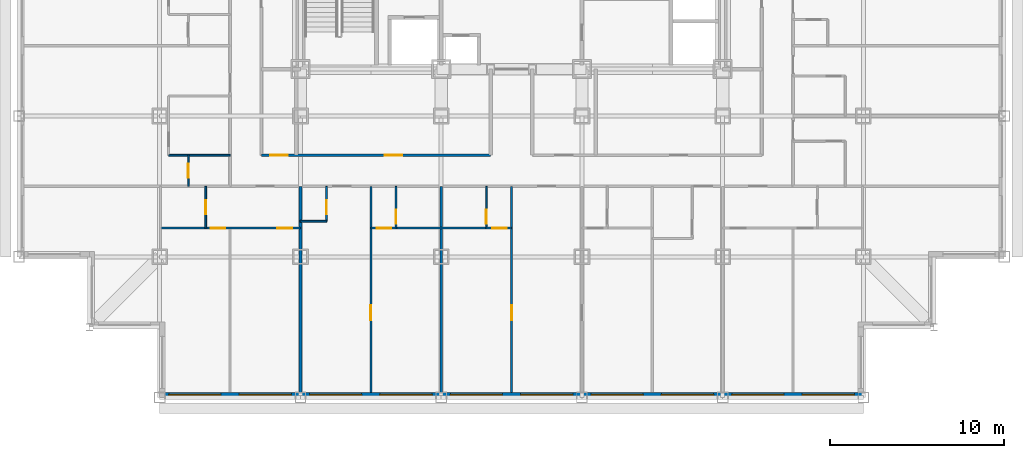
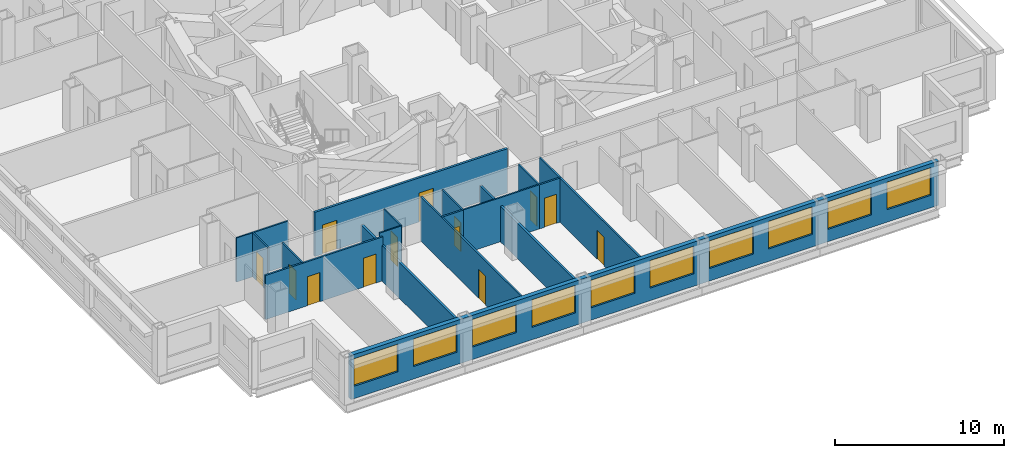
# One storey, part 4 of 12: 17 walls, 13 doors, 10 windows, 23 openings.
"""IFC4 building model written with IfcOpenShell, lengths in metres."""

from ifc_helpers import new_model, si_unit, direction, frame, frame_2d, origin, place, context, subcontext, project, spatial, rectangle, extrude, material, layer, layer_set, type_object, element, fill, save


model = new_model("IFC4")

# Units and contexts
model_context = context("Model", 3, precision=1e-05, world=origin(), true_north=direction((0.0, 1.0)))
body_context = subcontext(model_context, "Body", "Model", "MODEL_VIEW")
ifc_project = project(units=[si_unit("LENGTHUNIT", "METRE"), si_unit("AREAUNIT", "SQUARE_METRE"), si_unit("VOLUMEUNIT", "CUBIC_METRE"), si_unit("PLANEANGLEUNIT", "RADIAN"), si_unit("MASSUNIT", "GRAM", prefix="KILO")], contexts=[model_context])

# Site, building, storey
site_placement = place(None, origin())
site = spatial("IfcSite", under=ifc_project, at=site_placement, CompositionType="ELEMENT")
building_placement = place(site_placement, origin())
building = spatial("IfcBuilding", under=site, at=building_placement, Name="Kopane Lantern Tower", CompositionType="ELEMENT")
storey_placement = place(building_placement, frame((0.0, 0.0, 120.39990234375)))
storey = spatial("IfcBuildingStorey", under=building, at=storey_placement, Name="L30", CompositionType="ELEMENT", Elevation=120.39990234375)

# Wall, opening, door
ifc_material_1 = material(Name="Gypsum board on steel studs", Category="steel")
ifc_layer_1 = layer(ifc_material_1, 0.1201171875)
ifc_layer_set_1 = layer_set([ifc_layer_1], Name="APARTMENT INTERNAL WALL 120")
wall_type_1 = type_object("IfcWallType", Name="APARTMENT INTERNAL WALL 120", PredefinedType="PARTITIONING", material=ifc_layer_set_1)
wall_1_placement = place(storey_placement, frame((20.25, 17.550048828125, 0.0), z_axis=(0.0, 0.0, 1.0), x_axis=(0.0, -1.0, 0.0)))
wall_1 = element("IfcWall", 1, at=wall_1_placement, inside=storey, type_object=wall_type_1, Name="Apartment Internal Wall 120 L30", PredefinedType="PARTITIONING", context=body_context, shape_type="SweptSolid", body=[
    extrude(rectangle(XDim=11.85009765625, YDim=0.1201171875, at=frame_2d((5.925048828125, 0.0))), origin(), (0.0, 0.0, 1.0), 3.190185546875),
])
opening_1_placement = place(wall_1_placement, frame((6.85009765625, 0.0, 0.0)))
opening_1 = element("IfcOpeningElement", 2, at=opening_1_placement, cuts=wall_1, Name="Opening L30-016", PredefinedType="OPENING", context=body_context, shape_type="SweptSolid", body=[
    extrude(rectangle(XDim=0.85009765625, YDim=2.10009765625, at=frame_2d((0.425048828125, 1.050048828125))), frame((0.0, 0.070068359375, 0.0), z_axis=(0.0, -1.0, 0.0), x_axis=(1.0, 0.0, 0.0)), (0.0, 0.0, 1.0), 0.14013671875),
])
ifc_material_2 = material(Name="Timber door set", Category="wood")
door_type_1 = type_object("IfcDoorType", Name="DOOR D4 850x2100", OperationType="SINGLE_SWING_LEFT", PredefinedType="DOOR", material=ifc_material_2)
door_1_placement = place(opening_1_placement, origin())
door_1 = element("IfcDoor", 3, at=door_1_placement, inside=storey, type_object=door_type_1, Name="Door L30-016", OperationType="SINGLE_SWING_LEFT", OverallHeight=2.10009765625, OverallWidth=0.85009765625, PredefinedType="DOOR", context=body_context, shape_type="SweptSolid", body=[
    extrude(rectangle(XDim=0.85009765625, YDim=2.10009765625, at=frame_2d((0.425048828125, 1.050048828125))), frame((0.0, 0.02490234375, 0.0), z_axis=(0.0, -1.0, 0.0), x_axis=(1.0, 0.0, 0.0)), (0.0, 0.0, 1.0), 0.050048828125),
])
fill(opening_1, door_1)

wall_2_placement = place(storey_placement, frame((28.35009765625, 17.550048828125, 0.0), z_axis=(0.0, 0.0, 1.0), x_axis=(0.0, -1.0, 0.0)))
wall_2 = element("IfcWall", 4, at=wall_2_placement, inside=storey, type_object=wall_type_1, Name="Apartment Internal Wall 120 L30", PredefinedType="PARTITIONING", context=body_context, shape_type="SweptSolid", body=[
    extrude(rectangle(XDim=11.85009765625, YDim=0.1201171875, at=frame_2d((5.925048828125, 0.0))), origin(), (0.0, 0.0, 1.0), 3.190185546875),
])
opening_2_placement = place(wall_2_placement, frame((6.85009765625, 0.0, 0.0)))
opening_2 = element("IfcOpeningElement", 5, at=opening_2_placement, cuts=wall_2, Name="Opening L30-019", PredefinedType="OPENING", context=body_context, shape_type="SweptSolid", body=[
    extrude(rectangle(XDim=0.85009765625, YDim=2.10009765625, at=frame_2d((0.425048828125, 1.050048828125))), frame((0.0, 0.070068359375, 0.0), z_axis=(0.0, -1.0, 0.0), x_axis=(1.0, 0.0, 0.0)), (0.0, 0.0, 1.0), 0.14013671875),
])
door_2_placement = place(opening_2_placement, origin())
door_2 = element("IfcDoor", 6, at=door_2_placement, inside=storey, type_object=door_type_1, Name="Door L30-019", OperationType="SINGLE_SWING_RIGHT", OverallHeight=2.10009765625, OverallWidth=0.85009765625, PredefinedType="DOOR", context=body_context, shape_type="SweptSolid", body=[
    extrude(rectangle(XDim=0.85009765625, YDim=2.10009765625, at=frame_2d((0.425048828125, 1.050048828125))), frame((0.0, 0.02490234375, 0.0), z_axis=(0.0, -1.0, 0.0), x_axis=(1.0, 0.0, 0.0)), (0.0, 0.0, 1.0), 0.050048828125),
])
fill(opening_2, door_2)

# Wall, openings, doors
wall_3_placement = place(storey_placement, frame((8.14990234375, 15.14990234375, 0.0), z_axis=(0.0, 0.0, 1.0), x_axis=(1.0, 0.0, 0.0)))
wall_3 = element("IfcWall", 7, at=wall_3_placement, inside=storey, type_object=wall_type_1, Name="Apartment Internal Wall 120 L30", PredefinedType="PARTITIONING", context=body_context, shape_type="SweptSolid", body=[
    extrude(rectangle(XDim=8.050048828125, YDim=0.1201171875, at=frame_2d((4.02490234375, 0.0))), origin(), (0.0, 0.0, 1.0), 3.190185546875),
])
opening_3_placement = place(wall_3_placement, frame((6.72509765625, 0.0, 0.0)))
opening_3 = element("IfcOpeningElement", 8, at=opening_3_placement, cuts=wall_3, Name="Opening L30-060", PredefinedType="OPENING", context=body_context, shape_type="SweptSolid", body=[
    extrude(rectangle(XDim=0.85009765625, YDim=2.10009765625, at=frame_2d((0.425048828125, 1.050048828125))), frame((0.0, 0.070068359375, 0.0), z_axis=(0.0, -1.0, 0.0), x_axis=(1.0, 0.0, 0.0)), (0.0, 0.0, 1.0), 0.14013671875),
])
opening_4_placement = place(wall_3_placement, frame((2.875, 0.0, 0.0)))
opening_4 = element("IfcOpeningElement", 9, at=opening_4_placement, cuts=wall_3, Name="Opening L30-062", PredefinedType="OPENING", context=body_context, shape_type="SweptSolid", body=[
    extrude(rectangle(XDim=0.85009765625, YDim=2.10009765625, at=frame_2d((0.425048828125, 1.050048828125))), frame((0.0, 0.070068359375, 0.0), z_axis=(0.0, -1.0, 0.0), x_axis=(1.0, 0.0, 0.0)), (0.0, 0.0, 1.0), 0.14013671875),
])
door_3_placement = place(opening_3_placement, origin())
door_3 = element("IfcDoor", 10, at=door_3_placement, inside=storey, type_object=door_type_1, Name="Door L30-060", OperationType="SINGLE_SWING_RIGHT", OverallHeight=2.10009765625, OverallWidth=0.85009765625, PredefinedType="DOOR", context=body_context, shape_type="SweptSolid", body=[
    extrude(rectangle(XDim=0.85009765625, YDim=2.10009765625, at=frame_2d((0.425048828125, 1.050048828125))), frame((0.0, 0.02490234375, 0.0), z_axis=(0.0, -1.0, 0.0), x_axis=(1.0, 0.0, 0.0)), (0.0, 0.0, 1.0), 0.050048828125),
])
fill(opening_3, door_3)
door_4_placement = place(opening_4_placement, origin())
door_4 = element("IfcDoor", 11, at=door_4_placement, inside=storey, type_object=door_type_1, Name="Door L30-062", OperationType="SINGLE_SWING_LEFT", OverallHeight=2.10009765625, OverallWidth=0.85009765625, PredefinedType="DOOR", context=body_context, shape_type="SweptSolid", body=[
    extrude(rectangle(XDim=0.85009765625, YDim=2.10009765625, at=frame_2d((0.425048828125, 1.050048828125))), frame((0.0, 0.02490234375, 0.0), z_axis=(0.0, -1.0, 0.0), x_axis=(1.0, 0.0, 0.0)), (0.0, 0.0, 1.0), 0.050048828125),
])
fill(opening_4, door_4)

# Wall, opening, door
wall_4_placement = place(storey_placement, frame((21.7099609375, 15.14990234375, 0.0), z_axis=(0.0, 0.0, 1.0), x_axis=(-1.0, 0.0, 0.0)))
wall_4 = element("IfcWall", 12, at=wall_4_placement, inside=storey, type_object=wall_type_1, Name="Apartment Internal Wall 120 L30", PredefinedType="PARTITIONING", context=body_context, shape_type="SweptSolid", body=[
    extrude(rectangle(XDim=1.4599609375, YDim=0.1201171875, at=frame_2d((0.72998046875, 0.0))), origin(), (0.0, 0.0, 1.0), 3.190185546875),
])
opening_5_placement = place(wall_4_placement, frame((0.27490234375, 0.0, 0.0)))
opening_5 = element("IfcOpeningElement", 13, at=opening_5_placement, cuts=wall_4, Name="Opening L30-075", PredefinedType="OPENING", context=body_context, shape_type="SweptSolid", body=[
    extrude(rectangle(XDim=0.85009765625, YDim=2.10009765625, at=frame_2d((0.425048828125, 1.050048828125))), frame((0.0, 0.070068359375, 0.0), z_axis=(0.0, -1.0, 0.0), x_axis=(1.0, 0.0, 0.0)), (0.0, 0.0, 1.0), 0.14013671875),
])
door_5_placement = place(opening_5_placement, origin())
door_5 = element("IfcDoor", 14, at=door_5_placement, inside=storey, type_object=door_type_1, Name="Door L30-075", OperationType="SINGLE_SWING_RIGHT", OverallHeight=2.10009765625, OverallWidth=0.85009765625, PredefinedType="DOOR", context=body_context, shape_type="SweptSolid", body=[
    extrude(rectangle(XDim=0.85009765625, YDim=2.10009765625, at=frame_2d((0.425048828125, 1.050048828125))), frame((0.0, 0.02490234375, 0.0), z_axis=(0.0, -1.0, 0.0), x_axis=(1.0, 0.0, 0.0)), (0.0, 0.0, 1.0), 0.050048828125),
])
fill(opening_5, door_5)

wall_5_placement = place(storey_placement, frame((28.35009765625, 15.14990234375, 0.0), z_axis=(0.0, 0.0, 1.0), x_axis=(-1.0, 0.0, 0.0)))
wall_5 = element("IfcWall", 15, at=wall_5_placement, inside=storey, type_object=wall_type_1, Name="Apartment Internal Wall 120 L30", PredefinedType="PARTITIONING", context=body_context, shape_type="SweptSolid", body=[
    extrude(rectangle(XDim=1.460205078125, YDim=0.1201171875, at=frame_2d((0.72998046875, 0.0))), origin(), (0.0, 0.0, 1.0), 3.190185546875),
])
opening_6_placement = place(wall_5_placement, frame((0.27490234375, 0.0, 0.0)))
opening_6 = element("IfcOpeningElement", 16, at=opening_6_placement, cuts=wall_5, Name="Opening L30-076", PredefinedType="OPENING", context=body_context, shape_type="SweptSolid", body=[
    extrude(rectangle(XDim=0.85009765625, YDim=2.10009765625, at=frame_2d((0.425048828125, 1.050048828125))), frame((0.0, 0.070068359375, 0.0), z_axis=(0.0, -1.0, 0.0), x_axis=(1.0, 0.0, 0.0)), (0.0, 0.0, 1.0), 0.14013671875),
])
door_6_placement = place(opening_6_placement, origin())
door_6 = element("IfcDoor", 17, at=door_6_placement, inside=storey, type_object=door_type_1, Name="Door L30-076", OperationType="SINGLE_SWING_LEFT", OverallHeight=2.10009765625, OverallWidth=0.85009765625, PredefinedType="DOOR", context=body_context, shape_type="SweptSolid", body=[
    extrude(rectangle(XDim=0.85009765625, YDim=2.10009765625, at=frame_2d((0.425048828125, 1.050048828125))), frame((0.0, 0.02490234375, 0.0), z_axis=(0.0, -1.0, 0.0), x_axis=(1.0, 0.0, 0.0)), (0.0, 0.0, 1.0), 0.050048828125),
])
fill(opening_6, door_6)

# Wall
ifc_material_3 = material(Name="Moisture-resistant board on steel studs", Category="steel")
ifc_layer_2 = layer(ifc_material_3, 0.10009765625)
ifc_layer_set_2 = layer_set([ifc_layer_2], Name="BATHROOM WALL 100")
wall_type_2 = type_object("IfcWallType", Name="BATHROOM WALL 100", PredefinedType="PARTITIONING", material=ifc_layer_set_2)
wall_6_placement = place(storey_placement, frame((16.199951171875, 15.550048828125, 0.0), z_axis=(0.0, 0.0, 1.0), x_axis=(1.0, 0.0, 0.0)))
element("IfcWall", 18, at=wall_6_placement, inside=storey, type_object=wall_type_2, Name="Bathroom Wall 100 L30", PredefinedType="PARTITIONING", context=body_context, shape_type="SweptSolid", body=[
    extrude(rectangle(XDim=1.5, YDim=0.10009765625, at=frame_2d((0.75, 0.0))), origin(), (0.0, 0.0, 1.0), 3.190185546875),
])

# Wall, opening, door
wall_7_placement = place(storey_placement, frame((17.699951171875, 17.550048828125, 0.0), z_axis=(0.0, 0.0, 1.0), x_axis=(0.0, -1.0, 0.0)))
wall_7 = element("IfcWall", 19, at=wall_7_placement, inside=storey, type_object=wall_type_2, Name="Bathroom Wall 100 L30", PredefinedType="PARTITIONING", context=body_context, shape_type="SweptSolid", body=[
    extrude(rectangle(XDim=2.0, YDim=0.10009765625, at=frame_2d((1.0, 0.0))), origin(), (0.0, 0.0, 1.0), 3.190185546875),
])
opening_7_placement = place(wall_7_placement, frame((0.800048828125, 0.0, 0.0)))
opening_7 = element("IfcOpeningElement", 20, at=opening_7_placement, cuts=wall_7, Name="Opening L30-013", PredefinedType="OPENING", context=body_context, shape_type="SweptSolid", body=[
    extrude(rectangle(XDim=0.800048828125, YDim=2.10009765625, at=frame_2d((0.39990234375, 1.050048828125))), frame((0.0, 0.06005859375, 0.0), z_axis=(0.0, -1.0, 0.0), x_axis=(1.0, 0.0, 0.0)), (0.0, 0.0, 1.0), 0.1201171875),
])
ifc_material_4 = material(Name="Timber door set", Category="wood")
door_type_2 = type_object("IfcDoorType", Name="DOOR D2 800x2100", OperationType="SINGLE_SWING_LEFT", PredefinedType="DOOR", material=ifc_material_4)
door_7_placement = place(opening_7_placement, origin())
door_7 = element("IfcDoor", 21, at=door_7_placement, inside=storey, type_object=door_type_2, Name="Door L30-013", OperationType="SINGLE_SWING_LEFT", OverallHeight=2.10009765625, OverallWidth=0.800048828125, PredefinedType="DOOR", context=body_context, shape_type="SweptSolid", body=[
    extrude(rectangle(XDim=0.800048828125, YDim=2.10009765625, at=frame_2d((0.39990234375, 1.050048828125))), frame((0.0, 0.02490234375, 0.0), z_axis=(0.0, -1.0, 0.0), x_axis=(1.0, 0.0, 0.0)), (0.0, 0.0, 1.0), 0.050048828125),
])
fill(opening_7, door_7)

# Wall
wall_8_placement = place(storey_placement, frame((21.699951171875, 15.14990234375, 0.0), z_axis=(0.0, 0.0, 1.0), x_axis=(1.0, 0.0, 0.0)))
element("IfcWall", 22, at=wall_8_placement, inside=storey, type_object=wall_type_2, Name="Bathroom Wall 100 L30", PredefinedType="PARTITIONING", context=body_context, shape_type="SweptSolid", body=[
    extrude(rectangle(XDim=5.199951171875, YDim=0.10009765625, at=frame_2d((2.60009765625, 0.0))), origin(), (0.0, 0.0, 1.0), 3.190185546875),
])

# Wall, opening, door
wall_9_placement = place(storey_placement, frame((21.699951171875, 17.550048828125, 0.0), z_axis=(0.0, 0.0, 1.0), x_axis=(0.0, -1.0, 0.0)))
wall_9 = element("IfcWall", 23, at=wall_9_placement, inside=storey, type_object=wall_type_2, Name="Bathroom Wall 100 L30", PredefinedType="PARTITIONING", context=body_context, shape_type="SweptSolid", body=[
    extrude(rectangle(XDim=2.400146484375, YDim=0.10009765625, at=frame_2d((1.2001953125, 0.0))), origin(), (0.0, 0.0, 1.0), 3.190185546875),
])
opening_8_placement = place(wall_9_placement, frame((1.35009765625, 0.0, 0.0)))
opening_8 = element("IfcOpeningElement", 24, at=opening_8_placement, cuts=wall_9, Name="Opening L30-015", PredefinedType="OPENING", context=body_context, shape_type="SweptSolid", body=[
    extrude(rectangle(XDim=0.800048828125, YDim=2.10009765625, at=frame_2d((0.39990234375, 1.050048828125))), frame((0.0, 0.06005859375, 0.0), z_axis=(0.0, -1.0, 0.0), x_axis=(1.0, 0.0, 0.0)), (0.0, 0.0, 1.0), 0.1201171875),
])
door_8_placement = place(opening_8_placement, origin())
door_8 = element("IfcDoor", 25, at=door_8_placement, inside=storey, type_object=door_type_2, Name="Door L30-015", OperationType="SINGLE_SWING_LEFT", OverallHeight=2.10009765625, OverallWidth=0.800048828125, PredefinedType="DOOR", context=body_context, shape_type="SweptSolid", body=[
    extrude(rectangle(XDim=0.800048828125, YDim=2.10009765625, at=frame_2d((0.39990234375, 1.050048828125))), frame((0.0, 0.02490234375, 0.0), z_axis=(0.0, -1.0, 0.0), x_axis=(1.0, 0.0, 0.0)), (0.0, 0.0, 1.0), 0.050048828125),
])
fill(opening_8, door_8)

wall_10_placement = place(storey_placement, frame((26.89990234375, 17.550048828125, 0.0), z_axis=(0.0, 0.0, 1.0), x_axis=(0.0, -1.0, 0.0)))
wall_10 = element("IfcWall", 26, at=wall_10_placement, inside=storey, type_object=wall_type_2, Name="Bathroom Wall 100 L30", PredefinedType="PARTITIONING", context=body_context, shape_type="SweptSolid", body=[
    extrude(rectangle(XDim=2.400146484375, YDim=0.10009765625, at=frame_2d((1.2001953125, 0.0))), origin(), (0.0, 0.0, 1.0), 3.190185546875),
])
opening_9_placement = place(wall_10_placement, frame((1.35009765625, 0.0, 0.0)))
opening_9 = element("IfcOpeningElement", 27, at=opening_9_placement, cuts=wall_10, Name="Opening L30-018", PredefinedType="OPENING", context=body_context, shape_type="SweptSolid", body=[
    extrude(rectangle(XDim=0.800048828125, YDim=2.10009765625, at=frame_2d((0.39990234375, 1.050048828125))), frame((0.0, 0.06005859375, 0.0), z_axis=(0.0, -1.0, 0.0), x_axis=(1.0, 0.0, 0.0)), (0.0, 0.0, 1.0), 0.1201171875),
])
door_9_placement = place(opening_9_placement, origin())
door_9 = element("IfcDoor", 28, at=door_9_placement, inside=storey, type_object=door_type_2, Name="Door L30-018", OperationType="SINGLE_SWING_RIGHT", OverallHeight=2.10009765625, OverallWidth=0.800048828125, PredefinedType="DOOR", context=body_context, shape_type="SweptSolid", body=[
    extrude(rectangle(XDim=0.800048828125, YDim=2.10009765625, at=frame_2d((0.39990234375, 1.050048828125))), frame((0.0, 0.02490234375, 0.0), z_axis=(0.0, -1.0, 0.0), x_axis=(1.0, 0.0, 0.0)), (0.0, 0.0, 1.0), 0.050048828125),
])
fill(opening_9, door_9)

wall_11_placement = place(storey_placement, frame((9.75, 17.550048828125, 0.0), z_axis=(0.0, 0.0, 1.0), x_axis=(0.0, 1.0, 0.0)))
wall_11 = element("IfcWall", 29, at=wall_11_placement, inside=storey, type_object=wall_type_2, Name="Bathroom Wall 100 L30", PredefinedType="PARTITIONING", context=body_context, shape_type="SweptSolid", body=[
    extrude(rectangle(XDim=1.800048828125, YDim=0.10009765625, at=frame_2d((0.89990234375, 0.0))), origin(), (0.0, 0.0, 1.0), 3.190185546875),
])
opening_10_placement = place(wall_11_placement, frame((0.5, 0.0, 0.0)))
opening_10 = element("IfcOpeningElement", 30, at=opening_10_placement, cuts=wall_11, Name="Opening L30-036", PredefinedType="OPENING", context=body_context, shape_type="SweptSolid", body=[
    extrude(rectangle(XDim=0.800048828125, YDim=2.10009765625, at=frame_2d((0.39990234375, 1.050048828125))), frame((0.0, 0.06005859375, 0.0), z_axis=(0.0, -1.0, 0.0), x_axis=(1.0, 0.0, 0.0)), (0.0, 0.0, 1.0), 0.1201171875),
])
door_10_placement = place(opening_10_placement, origin())
door_10 = element("IfcDoor", 31, at=door_10_placement, inside=storey, type_object=door_type_2, Name="Door L30-036", OperationType="SINGLE_SWING_RIGHT", OverallHeight=2.10009765625, OverallWidth=0.800048828125, PredefinedType="DOOR", context=body_context, shape_type="SweptSolid", body=[
    extrude(rectangle(XDim=0.800048828125, YDim=2.10009765625, at=frame_2d((0.39990234375, 1.050048828125))), frame((0.0, 0.02490234375, 0.0), z_axis=(0.0, -1.0, 0.0), x_axis=(1.0, 0.0, 0.0)), (0.0, 0.0, 1.0), 0.050048828125),
])
fill(opening_10, door_10)

# Wall
wall_12_placement = place(storey_placement, frame((12.14990234375, 19.35009765625, 0.0), z_axis=(0.0, 0.0, 1.0), x_axis=(-1.0, 0.0, 0.0)))
element("IfcWall", 32, at=wall_12_placement, inside=storey, type_object=wall_type_2, Name="Bathroom Wall 100 L30", PredefinedType="PARTITIONING", context=body_context, shape_type="SweptSolid", body=[
    extrude(rectangle(XDim=3.539794921875, YDim=0.10009765625, at=frame_2d((1.77001953125, 0.0))), origin(), (0.0, 0.0, 1.0), 3.190185546875),
])

# Wall, opening, door
wall_13_placement = place(storey_placement, frame((10.75, 17.550048828125, 0.0), z_axis=(0.0, 0.0, 1.0), x_axis=(0.0, -1.0, 0.0)))
wall_13 = element("IfcWall", 33, at=wall_13_placement, inside=storey, type_object=wall_type_2, Name="Bathroom Wall 100 L30", PredefinedType="PARTITIONING", context=body_context, shape_type="SweptSolid", body=[
    extrude(rectangle(XDim=2.400146484375, YDim=0.10009765625, at=frame_2d((1.2001953125, 0.0))), origin(), (0.0, 0.0, 1.0), 3.190185546875),
])
opening_11_placement = place(wall_13_placement, frame((0.800048828125, 0.0, 0.0)))
opening_11 = element("IfcOpeningElement", 34, at=opening_11_placement, cuts=wall_13, Name="Opening L30-061", PredefinedType="OPENING", context=body_context, shape_type="SweptSolid", body=[
    extrude(rectangle(XDim=0.800048828125, YDim=2.10009765625, at=frame_2d((0.39990234375, 1.050048828125))), frame((0.0, 0.06005859375, 0.0), z_axis=(0.0, -1.0, 0.0), x_axis=(1.0, 0.0, 0.0)), (0.0, 0.0, 1.0), 0.1201171875),
])
door_11_placement = place(opening_11_placement, origin())
door_11 = element("IfcDoor", 35, at=door_11_placement, inside=storey, type_object=door_type_2, Name="Door L30-061", OperationType="SINGLE_SWING_RIGHT", OverallHeight=2.10009765625, OverallWidth=0.800048828125, PredefinedType="DOOR", context=body_context, shape_type="SweptSolid", body=[
    extrude(rectangle(XDim=0.800048828125, YDim=2.10009765625, at=frame_2d((0.39990234375, 1.050048828125))), frame((0.0, 0.02490234375, 0.0), z_axis=(0.0, -1.0, 0.0), x_axis=(1.0, 0.0, 0.0)), (0.0, 0.0, 1.0), 0.050048828125),
])
fill(opening_11, door_11)

# Wall, openings, doors
ifc_material_5 = material(Name="Gypsum board on steel studs", Category="steel")
ifc_layer_3 = layer(ifc_material_5, 0.14990234375)
ifc_layer_set_3 = layer_set([ifc_layer_3], Name="CORRIDOR WALL 150 EI 60")
wall_type_3 = type_object("IfcWallType", Name="CORRIDOR WALL 150 EI 60", PredefinedType="PARTITIONING", material=ifc_layer_set_3)
wall_14_placement = place(storey_placement, frame((13.949951171875, 19.35009765625, 0.0), z_axis=(0.0, 0.0, 1.0), x_axis=(1.0, 0.0, 0.0)))
wall_14 = element("IfcWall", 36, at=wall_14_placement, inside=storey, type_object=wall_type_3, Name="Corridor Wall 150 Ei 60 L30", PredefinedType="PARTITIONING", context=body_context, shape_type="SweptSolid", body=[
    extrude(rectangle(XDim=13.18994140625, YDim=0.14990234375, at=frame_2d((6.594970703125, 0.0))), origin(), (0.0, 0.0, 1.0), 3.190185546875),
])
opening_12_placement = place(wall_14_placement, frame((0.510009765625, 0.0, 0.0)))
opening_12 = element("IfcOpeningElement", 37, at=opening_12_placement, cuts=wall_14, Name="Opening L30-005", PredefinedType="OPENING", context=body_context, shape_type="SweptSolid", body=[
    extrude(rectangle(XDim=1.0, YDim=2.10009765625, at=frame_2d((0.5, 1.050048828125))), frame((0.0, 0.0849609375, 0.0), z_axis=(0.0, -1.0, 0.0), x_axis=(1.0, 0.0, 0.0)), (0.0, 0.0, 1.0), 0.169921875),
])
opening_13_placement = place(wall_14_placement, frame((7.110107421875, 0.0, 0.0)))
opening_13 = element("IfcOpeningElement", 38, at=opening_13_placement, cuts=wall_14, Name="Opening L30-006", PredefinedType="OPENING", context=body_context, shape_type="SweptSolid", body=[
    extrude(rectangle(XDim=1.0, YDim=2.10009765625, at=frame_2d((0.5, 1.050048828125))), frame((0.0, 0.0849609375, 0.0), z_axis=(0.0, -1.0, 0.0), x_axis=(1.0, 0.0, 0.0)), (0.0, 0.0, 1.0), 0.169921875),
])
ifc_material_6 = material(Name="Steel door set", Category="steel")
door_type_3 = type_object("IfcDoorType", Name="DOOR D5 1000x2100 FD60", OperationType="SINGLE_SWING_LEFT", PredefinedType="DOOR", material=ifc_material_6)
door_12_placement = place(opening_12_placement, origin())
door_12 = element("IfcDoor", 39, at=door_12_placement, inside=storey, type_object=door_type_3, Name="Door L30-005", OperationType="SINGLE_SWING_LEFT", OverallHeight=2.10009765625, OverallWidth=1.0, PredefinedType="DOOR", context=body_context, shape_type="SweptSolid", body=[
    extrude(rectangle(XDim=1.0, YDim=2.10009765625, at=frame_2d((0.5, 1.050048828125))), frame((0.0, 0.02490234375, 0.0), z_axis=(0.0, -1.0, 0.0), x_axis=(1.0, 0.0, 0.0)), (0.0, 0.0, 1.0), 0.050048828125),
])
fill(opening_12, door_12)
door_13_placement = place(opening_13_placement, origin())
door_13 = element("IfcDoor", 40, at=door_13_placement, inside=storey, type_object=door_type_3, Name="Door L30-006", OperationType="SINGLE_SWING_RIGHT", OverallHeight=2.10009765625, OverallWidth=1.0, PredefinedType="DOOR", context=body_context, shape_type="SweptSolid", body=[
    extrude(rectangle(XDim=1.0, YDim=2.10009765625, at=frame_2d((0.5, 1.050048828125))), frame((0.0, 0.02490234375, 0.0), z_axis=(0.0, -1.0, 0.0), x_axis=(1.0, 0.0, 0.0)), (0.0, 0.0, 1.0), 0.050048828125),
])
fill(opening_13, door_13)

# Walls
ifc_material_7 = material(Name="Gypsum board on steel studs", Category="steel")
ifc_layer_4 = layer(ifc_material_7, 0.14990234375)
ifc_layer_set_4 = layer_set([ifc_layer_4], Name="DEMISING WALL 150 EI 60")
wall_type_4 = type_object("IfcWallType", Name="DEMISING WALL 150 EI 60", PredefinedType="PARTITIONING", material=ifc_layer_set_4)
for number, where, z_axis, x_axis, name in (
    (41, (24.300048828125, 17.550048828125, 0.0), (0.0, 0.0, 1.0), (0.0, -1.0, 0.0), "Demising Wall 150 Ei 60 L30"),
    (42, (16.199951171875, 17.550048828125, 0.0), (0.0, 0.0, 1.0), (0.0, -1.0, 0.0), "Demising Wall 150 Ei 60 L30"),
):
    element("IfcWall", number, at=place(storey_placement, frame(where, z_axis=z_axis, x_axis=x_axis)), inside=storey, type_object=wall_type_4, Name=name, PredefinedType="PARTITIONING", context=body_context, shape_type="SweptSolid", body=[
        extrude(rectangle(XDim=11.85009765625, YDim=0.14990234375, at=frame_2d((5.925048828125, 0.0))), origin(), (0.0, 0.0, 1.0), 2.577880859375),
    ])

# Wall, openings, windows
ifc_material_8 = material(Name="Terracotta rainscreen on light steel framing", Category="masonry")
ifc_layer_5 = layer(ifc_material_8, 0.300048828125)
ifc_layer_set_5 = layer_set([ifc_layer_5], Name="EXTERNAL WALL EW1 300 TERRACOTTA")
wall_type_5 = type_object("IfcWallType", Name="EXTERNAL WALL EW1 300 TERRACOTTA", PredefinedType="SOLIDWALL", material=ifc_layer_set_5)
wall_15_placement = place(storey_placement, frame((8.39990234375, 5.550048828125, 0.0), z_axis=(0.0, 0.0, 1.0), x_axis=(1.0, 0.0, 0.0)))
wall_15 = element("IfcWall", 43, at=wall_15_placement, inside=storey, type_object=wall_type_5, Name="External wall S L30", PredefinedType="SOLIDWALL", context=body_context, shape_type="SweptSolid", body=[
    extrude(rectangle(XDim=40.2001953125, YDim=0.300048828125, at=frame_2d((20.10009765625, 0.0))), origin(), (0.0, 0.0, 1.0), 3.190185546875),
])
opening_14_placement = place(wall_15_placement, frame((0.22509765625, 0.0, 0.89990234375)))
opening_14 = element("IfcOpeningElement", 44, at=opening_14_placement, cuts=wall_15, Name="Opening WR300200", PredefinedType="OPENING", context=body_context, shape_type="SweptSolid", body=[
    extrude(rectangle(XDim=3.0, YDim=2.0, at=frame_2d((1.5, 1.0))), frame((0.0, 0.159912109375, 0.0), z_axis=(0.0, -1.0, 0.0), x_axis=(1.0, 0.0, 0.0)), (0.0, 0.0, 1.0), 0.320068359375),
])
opening_15_placement = place(wall_15_placement, frame((4.27490234375, 0.0, 0.89990234375)))
opening_15 = element("IfcOpeningElement", 45, at=opening_15_placement, cuts=wall_15, Name="Opening WR300200", PredefinedType="OPENING", context=body_context, shape_type="SweptSolid", body=[
    extrude(rectangle(XDim=3.0, YDim=2.0, at=frame_2d((1.5, 1.0))), frame((0.0, 0.159912109375, 0.0), z_axis=(0.0, -1.0, 0.0), x_axis=(1.0, 0.0, 0.0)), (0.0, 0.0, 1.0), 0.320068359375),
])
opening_16_placement = place(wall_15_placement, frame((8.324951171875, 0.0, 0.89990234375)))
opening_16 = element("IfcOpeningElement", 46, at=opening_16_placement, cuts=wall_15, Name="Opening WR300200", PredefinedType="OPENING", context=body_context, shape_type="SweptSolid", body=[
    extrude(rectangle(XDim=3.0, YDim=2.0, at=frame_2d((1.5, 1.0))), frame((0.0, 0.159912109375, 0.0), z_axis=(0.0, -1.0, 0.0), x_axis=(1.0, 0.0, 0.0)), (0.0, 0.0, 1.0), 0.320068359375),
])
opening_17_placement = place(wall_15_placement, frame((12.375, 0.0, 0.89990234375)))
opening_17 = element("IfcOpeningElement", 47, at=opening_17_placement, cuts=wall_15, Name="Opening WR300200", PredefinedType="OPENING", context=body_context, shape_type="SweptSolid", body=[
    extrude(rectangle(XDim=3.0, YDim=2.0, at=frame_2d((1.5, 1.0))), frame((0.0, 0.159912109375, 0.0), z_axis=(0.0, -1.0, 0.0), x_axis=(1.0, 0.0, 0.0)), (0.0, 0.0, 1.0), 0.320068359375),
])
opening_18_placement = place(wall_15_placement, frame((16.425048828125, 0.0, 0.89990234375)))
opening_18 = element("IfcOpeningElement", 48, at=opening_18_placement, cuts=wall_15, Name="Opening WR300200", PredefinedType="OPENING", context=body_context, shape_type="SweptSolid", body=[
    extrude(rectangle(XDim=3.0, YDim=2.0, at=frame_2d((1.5, 1.0))), frame((0.0, 0.159912109375, 0.0), z_axis=(0.0, -1.0, 0.0), x_axis=(1.0, 0.0, 0.0)), (0.0, 0.0, 1.0), 0.320068359375),
])
opening_19_placement = place(wall_15_placement, frame((20.47509765625, 0.0, 0.89990234375)))
opening_19 = element("IfcOpeningElement", 49, at=opening_19_placement, cuts=wall_15, Name="Opening WR300200", PredefinedType="OPENING", context=body_context, shape_type="SweptSolid", body=[
    extrude(rectangle(XDim=3.0, YDim=2.0, at=frame_2d((1.5, 1.0))), frame((0.0, 0.159912109375, 0.0), z_axis=(0.0, -1.0, 0.0), x_axis=(1.0, 0.0, 0.0)), (0.0, 0.0, 1.0), 0.320068359375),
])
opening_20_placement = place(wall_15_placement, frame((24.52490234375, 0.0, 0.89990234375)))
opening_20 = element("IfcOpeningElement", 50, at=opening_20_placement, cuts=wall_15, Name="Opening WR300200", PredefinedType="OPENING", context=body_context, shape_type="SweptSolid", body=[
    extrude(rectangle(XDim=3.0, YDim=2.0, at=frame_2d((1.5, 1.0))), frame((0.0, 0.159912109375, 0.0), z_axis=(0.0, -1.0, 0.0), x_axis=(1.0, 0.0, 0.0)), (0.0, 0.0, 1.0), 0.320068359375),
])
opening_21_placement = place(wall_15_placement, frame((28.574951171875, 0.0, 0.89990234375)))
opening_21 = element("IfcOpeningElement", 51, at=opening_21_placement, cuts=wall_15, Name="Opening WR300200", PredefinedType="OPENING", context=body_context, shape_type="SweptSolid", body=[
    extrude(rectangle(XDim=3.0, YDim=2.0, at=frame_2d((1.5, 1.0))), frame((0.0, 0.159912109375, 0.0), z_axis=(0.0, -1.0, 0.0), x_axis=(1.0, 0.0, 0.0)), (0.0, 0.0, 1.0), 0.320068359375),
])
opening_22_placement = place(wall_15_placement, frame((32.625, 0.0, 0.89990234375)))
opening_22 = element("IfcOpeningElement", 52, at=opening_22_placement, cuts=wall_15, Name="Opening WR300200", PredefinedType="OPENING", context=body_context, shape_type="SweptSolid", body=[
    extrude(rectangle(XDim=3.0, YDim=2.0, at=frame_2d((1.5, 1.0))), frame((0.0, 0.159912109375, 0.0), z_axis=(0.0, -1.0, 0.0), x_axis=(1.0, 0.0, 0.0)), (0.0, 0.0, 1.0), 0.320068359375),
])
opening_23_placement = place(wall_15_placement, frame((36.675048828125, 0.0, 0.89990234375)))
opening_23 = element("IfcOpeningElement", 53, at=opening_23_placement, cuts=wall_15, Name="Opening WR300200", PredefinedType="OPENING", context=body_context, shape_type="SweptSolid", body=[
    extrude(rectangle(XDim=3.0, YDim=2.0, at=frame_2d((1.5, 1.0))), frame((0.0, 0.159912109375, 0.0), z_axis=(0.0, -1.0, 0.0), x_axis=(1.0, 0.0, 0.0)), (0.0, 0.0, 1.0), 0.320068359375),
])
ifc_material_9 = material(Name="Aluminium and clear glass", Category="aluminium")
window_type = type_object("IfcWindowType", Name="RIBBON WINDOW WR300200 3000x2000", PartitioningType="SINGLE_PANEL", PredefinedType="WINDOW", material=ifc_material_9)
window_1_placement = place(opening_14_placement, origin())
window_1 = element("IfcWindow", 54, at=window_1_placement, inside=storey, type_object=window_type, Name="Window S L30", OverallHeight=2.0, OverallWidth=3.0, PartitioningType="SINGLE_PANEL", PredefinedType="WINDOW", context=body_context, shape_type="SweptSolid", body=[
    extrude(rectangle(XDim=3.0, YDim=2.0, at=frame_2d((1.5, 1.0))), frame((0.0, 0.030029296875, 0.0), z_axis=(0.0, -1.0, 0.0), x_axis=(1.0, 0.0, 0.0)), (0.0, 0.0, 1.0), 0.06005859375),
])
fill(opening_14, window_1)
window_2_placement = place(opening_15_placement, origin())
window_2 = element("IfcWindow", 55, at=window_2_placement, inside=storey, type_object=window_type, Name="Window S L30", OverallHeight=2.0, OverallWidth=3.0, PartitioningType="SINGLE_PANEL", PredefinedType="WINDOW", context=body_context, shape_type="SweptSolid", body=[
    extrude(rectangle(XDim=3.0, YDim=2.0, at=frame_2d((1.5, 1.0))), frame((0.0, 0.030029296875, 0.0), z_axis=(0.0, -1.0, 0.0), x_axis=(1.0, 0.0, 0.0)), (0.0, 0.0, 1.0), 0.06005859375),
])
fill(opening_15, window_2)
window_3_placement = place(opening_16_placement, origin())
window_3 = element("IfcWindow", 56, at=window_3_placement, inside=storey, type_object=window_type, Name="Window S L30", OverallHeight=2.0, OverallWidth=3.0, PartitioningType="SINGLE_PANEL", PredefinedType="WINDOW", context=body_context, shape_type="SweptSolid", body=[
    extrude(rectangle(XDim=3.0, YDim=2.0, at=frame_2d((1.5, 1.0))), frame((0.0, 0.030029296875, 0.0), z_axis=(0.0, -1.0, 0.0), x_axis=(1.0, 0.0, 0.0)), (0.0, 0.0, 1.0), 0.06005859375),
])
fill(opening_16, window_3)
window_4_placement = place(opening_17_placement, origin())
window_4 = element("IfcWindow", 57, at=window_4_placement, inside=storey, type_object=window_type, Name="Window S L30", OverallHeight=2.0, OverallWidth=3.0, PartitioningType="SINGLE_PANEL", PredefinedType="WINDOW", context=body_context, shape_type="SweptSolid", body=[
    extrude(rectangle(XDim=3.0, YDim=2.0, at=frame_2d((1.5, 1.0))), frame((0.0, 0.030029296875, 0.0), z_axis=(0.0, -1.0, 0.0), x_axis=(1.0, 0.0, 0.0)), (0.0, 0.0, 1.0), 0.06005859375),
])
fill(opening_17, window_4)
window_5_placement = place(opening_18_placement, origin())
window_5 = element("IfcWindow", 58, at=window_5_placement, inside=storey, type_object=window_type, Name="Window S L30", OverallHeight=2.0, OverallWidth=3.0, PartitioningType="SINGLE_PANEL", PredefinedType="WINDOW", context=body_context, shape_type="SweptSolid", body=[
    extrude(rectangle(XDim=3.0, YDim=2.0, at=frame_2d((1.5, 1.0))), frame((0.0, 0.030029296875, 0.0), z_axis=(0.0, -1.0, 0.0), x_axis=(1.0, 0.0, 0.0)), (0.0, 0.0, 1.0), 0.06005859375),
])
fill(opening_18, window_5)
window_6_placement = place(opening_19_placement, origin())
window_6 = element("IfcWindow", 59, at=window_6_placement, inside=storey, type_object=window_type, Name="Window S L30", OverallHeight=2.0, OverallWidth=3.0, PartitioningType="SINGLE_PANEL", PredefinedType="WINDOW", context=body_context, shape_type="SweptSolid", body=[
    extrude(rectangle(XDim=3.0, YDim=2.0, at=frame_2d((1.5, 1.0))), frame((0.0, 0.030029296875, 0.0), z_axis=(0.0, -1.0, 0.0), x_axis=(1.0, 0.0, 0.0)), (0.0, 0.0, 1.0), 0.06005859375),
])
fill(opening_19, window_6)
window_7_placement = place(opening_20_placement, origin())
window_7 = element("IfcWindow", 60, at=window_7_placement, inside=storey, type_object=window_type, Name="Window S L30", OverallHeight=2.0, OverallWidth=3.0, PartitioningType="SINGLE_PANEL", PredefinedType="WINDOW", context=body_context, shape_type="SweptSolid", body=[
    extrude(rectangle(XDim=3.0, YDim=2.0, at=frame_2d((1.5, 1.0))), frame((0.0, 0.030029296875, 0.0), z_axis=(0.0, -1.0, 0.0), x_axis=(1.0, 0.0, 0.0)), (0.0, 0.0, 1.0), 0.06005859375),
])
fill(opening_20, window_7)
window_8_placement = place(opening_21_placement, origin())
window_8 = element("IfcWindow", 61, at=window_8_placement, inside=storey, type_object=window_type, Name="Window S L30", OverallHeight=2.0, OverallWidth=3.0, PartitioningType="SINGLE_PANEL", PredefinedType="WINDOW", context=body_context, shape_type="SweptSolid", body=[
    extrude(rectangle(XDim=3.0, YDim=2.0, at=frame_2d((1.5, 1.0))), frame((0.0, 0.030029296875, 0.0), z_axis=(0.0, -1.0, 0.0), x_axis=(1.0, 0.0, 0.0)), (0.0, 0.0, 1.0), 0.06005859375),
])
fill(opening_21, window_8)
window_9_placement = place(opening_22_placement, origin())
window_9 = element("IfcWindow", 62, at=window_9_placement, inside=storey, type_object=window_type, Name="Window S L30", OverallHeight=2.0, OverallWidth=3.0, PartitioningType="SINGLE_PANEL", PredefinedType="WINDOW", context=body_context, shape_type="SweptSolid", body=[
    extrude(rectangle(XDim=3.0, YDim=2.0, at=frame_2d((1.5, 1.0))), frame((0.0, 0.030029296875, 0.0), z_axis=(0.0, -1.0, 0.0), x_axis=(1.0, 0.0, 0.0)), (0.0, 0.0, 1.0), 0.06005859375),
])
fill(opening_22, window_9)
window_10_placement = place(opening_23_placement, origin())
window_10 = element("IfcWindow", 63, at=window_10_placement, inside=storey, type_object=window_type, Name="Window S L30", OverallHeight=2.0, OverallWidth=3.0, PartitioningType="SINGLE_PANEL", PredefinedType="WINDOW", context=body_context, shape_type="SweptSolid", body=[
    extrude(rectangle(XDim=3.0, YDim=2.0, at=frame_2d((1.5, 1.0))), frame((0.0, 0.030029296875, 0.0), z_axis=(0.0, -1.0, 0.0), x_axis=(1.0, 0.0, 0.0)), (0.0, 0.0, 1.0), 0.06005859375),
])
fill(opening_23, window_10)

save(model, "model.ifc")
